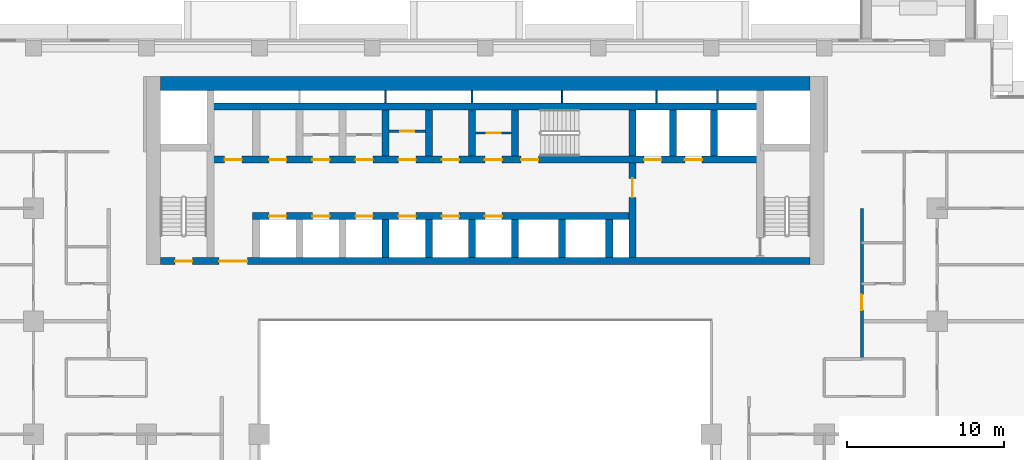
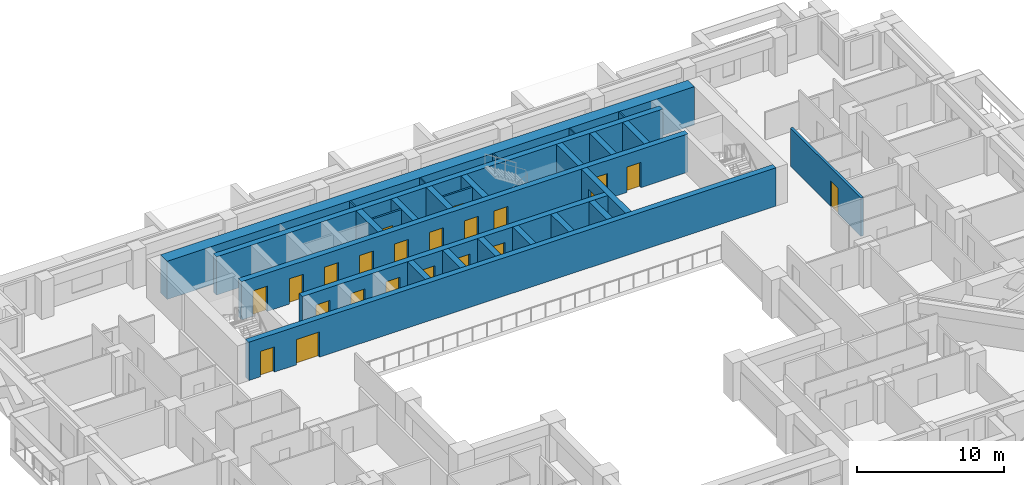
# One storey, part 10 of 17: 27 walls, 22 doors, 22 openings.
"""IFC4 building model written with IfcOpenShell, lengths in metres."""

from ifc_helpers import new_model, si_unit, direction, frame, frame_2d, origin, place, context, subcontext, project, spatial, rectangle, extrude, material, layer, layer_set, type_object, element, fill, save


model = new_model("IFC4")

# Units and contexts
model_context = context("Model", 3, precision=1e-05, world=origin(), true_north=direction((0.0, 1.0)))
body_context = subcontext(model_context, "Body", "Model", "MODEL_VIEW")
ifc_project = project(units=[si_unit("LENGTHUNIT", "METRE"), si_unit("AREAUNIT", "SQUARE_METRE"), si_unit("VOLUMEUNIT", "CUBIC_METRE"), si_unit("PLANEANGLEUNIT", "RADIAN"), si_unit("MASSUNIT", "GRAM", prefix="KILO")], contexts=[model_context])

# Site, building, storey
site_placement = place(None, origin())
site = spatial("IfcSite", under=ifc_project, at=site_placement, CompositionType="ELEMENT")
building_placement = place(site_placement, origin())
building = spatial("IfcBuilding", under=site, at=building_placement, Name="Saffron Iwan Residences", CompositionType="ELEMENT")
storey_placement = place(building_placement, frame((0.0, 0.0, 62.0)))
storey = spatial("IfcBuildingStorey", under=building, at=storey_placement, Name="L15", CompositionType="ELEMENT", Elevation=62.0)

# Wall, opening, door
ifc_material_1 = material(Name="Fire-rated plasterboard partition")
ifc_layer_1 = layer(ifc_material_1, 0.14990234375)
ifc_layer_set_1 = layer_set([ifc_layer_1], Name="Fire-rated plasterboard partition")
wall_type_1 = type_object("IfcWallType", Name="Core partition 150", PredefinedType="PARTITIONING", material=ifc_layer_set_1)
wall_1_placement = place(storey_placement, frame((44.27490234375, 74.51806640625, 0.0), z_axis=(0.0, 0.0, 1.0), x_axis=(1.0, 0.0, 0.0)))
wall_1 = element("IfcWall", 1, at=wall_1_placement, inside=storey, type_object=wall_type_1, Name="Core partition P03", PredefinedType="PARTITIONING", context=body_context, shape_type="SweptSolid", body=[
    extrude(rectangle(XDim=2.300048828125, YDim=0.14990234375, at=frame_2d((1.14990234375, 0.0))), origin(), (0.0, 0.0, 1.0), 3.179931640625),
])
opening_1_placement = place(wall_1_placement, frame((0.699951171875, 0.0, 0.0)))
opening_1 = element("IfcOpeningElement", 2, at=opening_1_placement, cuts=wall_1, Name="Opening SB", PredefinedType="OPENING", context=body_context, shape_type="SweptSolid", body=[
    extrude(rectangle(XDim=0.89990234375, YDim=2.10009765625, at=frame_2d((0.449951171875, 1.050048828125))), frame((0.0, 0.0849609375, 0.0), z_axis=(0.0, -1.0, 0.0), x_axis=(1.0, 0.0, 0.0)), (0.0, 0.0, 1.0), 0.169921875),
])
ifc_material_2 = material(Name="Steel fire door", Category="steel")
door_type_1 = type_object("IfcDoorType", Name="Store door 900", OperationType="NOTDEFINED", PredefinedType="DOOR", material=ifc_material_2)
door_1_placement = place(opening_1_placement, origin())
door_1 = element("IfcDoor", 3, at=door_1_placement, inside=storey, type_object=door_type_1, Name="Door Spares store", OperationType="SINGLE_SWING_LEFT", OverallHeight=2.10009765625, OverallWidth=0.89990234375, PredefinedType="DOOR", context=body_context, shape_type="SweptSolid", body=[
    extrude(rectangle(XDim=0.89990234375, YDim=2.10009765625, at=frame_2d((0.449951171875, 1.050048828125))), frame((0.0, 0.02490234375, 0.0), z_axis=(0.0, -1.0, 0.0), x_axis=(1.0, 0.0, 0.0)), (0.0, 0.0, 1.0), 0.050048828125),
])
fill(opening_1, door_1)

wall_2_placement = place(storey_placement, frame((49.77490234375, 74.39990234375, 0.0), z_axis=(0.0, 0.0, 1.0), x_axis=(1.0, 0.0, 0.0)))
wall_2 = element("IfcWall", 4, at=wall_2_placement, inside=storey, type_object=wall_type_1, Name="Core partition P04", PredefinedType="PARTITIONING", context=body_context, shape_type="SweptSolid", body=[
    extrude(rectangle(XDim=2.300048828125, YDim=0.14990234375, at=frame_2d((1.14990234375, 0.0))), origin(), (0.0, 0.0, 1.0), 3.179931640625),
])
opening_2_placement = place(wall_2_placement, frame((0.699951171875, 0.0, 0.0)))
opening_2 = element("IfcOpeningElement", 5, at=opening_2_placement, cuts=wall_2, Name="Opening SB", PredefinedType="OPENING", context=body_context, shape_type="SweptSolid", body=[
    extrude(rectangle(XDim=0.89990234375, YDim=2.10009765625, at=frame_2d((0.449951171875, 1.050048828125))), frame((0.0, 0.0849609375, 0.0), z_axis=(0.0, -1.0, 0.0), x_axis=(1.0, 0.0, 0.0)), (0.0, 0.0, 1.0), 0.169921875),
])
door_2_placement = place(opening_2_placement, origin())
door_2 = element("IfcDoor", 6, at=door_2_placement, inside=storey, type_object=door_type_1, Name="Door Records store", OperationType="SINGLE_SWING_RIGHT", OverallHeight=2.10009765625, OverallWidth=0.89990234375, PredefinedType="DOOR", context=body_context, shape_type="SweptSolid", body=[
    extrude(rectangle(XDim=0.89990234375, YDim=2.10009765625, at=frame_2d((0.449951171875, 1.050048828125))), frame((0.0, 0.02490234375, 0.0), z_axis=(0.0, -1.0, 0.0), x_axis=(1.0, 0.0, 0.0)), (0.0, 0.0, 1.0), 0.050048828125),
])
fill(opening_2, door_2)

ifc_material_3 = material(Name="Fire-rated gypsum board wall")
ifc_layer_2 = layer(ifc_material_3, 0.199951171875)
ifc_layer_set_2 = layer_set([ifc_layer_2], Name="Fire-rated gypsum board wall")
wall_type_2 = type_object("IfcWallType", Name="Gallery wall 200", PredefinedType="SOLIDWALL", material=ifc_layer_set_2)
wall_3_placement = place(storey_placement, frame((74.39990234375, 60.0, 0.0), z_axis=(0.0, 0.0, 1.0), x_axis=(0.0, 1.0, 0.0)))
wall_3 = element("IfcWall", 7, at=wall_3_placement, inside=storey, type_object=wall_type_2, Name="W-L15-CORR-v74.4-60", PredefinedType="SOLIDWALL", context=body_context, shape_type="SweptSolid", body=[
    extrude(rectangle(XDim=9.60009765625, YDim=0.199951171875, at=frame_2d((4.800048828125, 0.0))), origin(), (0.0, 0.0, 1.0), 3.179931640625),
])
opening_3_placement = place(wall_3_placement, frame((3.10009765625, 0.0, 0.0)))
opening_3 = element("IfcOpeningElement", 8, at=opening_3_placement, cuts=wall_3, Name="Opening FD1", PredefinedType="OPENING", context=body_context, shape_type="SweptSolid", body=[
    extrude(rectangle(XDim=1.0, YDim=2.10009765625, at=frame_2d((0.5, 1.050048828125))), frame((0.0, 0.10986328125, 0.0), z_axis=(0.0, -1.0, 0.0), x_axis=(1.0, 0.0, 0.0)), (0.0, 0.0, 1.0), 0.219970703125),
])
ifc_material_4 = material(Name="Fire-rated timber door", Category="wood")
door_type_2 = type_object("IfcDoorType", Name="FD30S flat entrance door 1000", OperationType="NOTDEFINED", PredefinedType="DOOR", material=ifc_material_4)
door_3_placement = place(opening_3_placement, origin())
door_3 = element("IfcDoor", 9, at=door_3_placement, inside=storey, type_object=door_type_2, Name="Door L15-034", OperationType="SINGLE_SWING_RIGHT", OverallHeight=2.10009765625, OverallWidth=1.0, PredefinedType="DOOR", context=body_context, shape_type="SweptSolid", body=[
    extrude(rectangle(XDim=1.0, YDim=2.10009765625, at=frame_2d((0.5, 1.050048828125))), frame((0.0, 0.02490234375, 0.0), z_axis=(0.0, -1.0, 0.0), x_axis=(1.0, 0.0, 0.0)), (0.0, 0.0, 1.0), 0.050048828125),
])
fill(opening_3, door_3)

# Walls
ifc_layer_3 = layer(ifc_material_1, 0.10009765625)
ifc_layer_set_3 = layer_set([ifc_layer_3], Name="Fire-rated plasterboard partition")
wall_type_3 = type_object("IfcWallType", Name="Riser partition 100", PredefinedType="PARTITIONING", material=ifc_layer_set_3)
for number, where, z_axis, x_axis, name in (
    (10, (44.050048828125, 76.324951171875, 0.0), (0.0, 0.0, 1.0), (0.0, 1.0, 0.0), "Core partition P06"),
    (11, (49.550048828125, 76.324951171875, 0.0), (0.0, 0.0, 1.0), (0.0, 1.0, 0.0), "Core partition P07"),
    (12, (55.300048828125, 76.324951171875, 0.0), (0.0, 0.0, 1.0), (0.0, 1.0, 0.0), "Core partition P08"),
    (13, (61.300048828125, 76.324951171875, 0.0), (0.0, 0.0, 1.0), (0.0, 1.0, 0.0), "Core partition P09"),
    (14, (65.199951171875, 76.324951171875, 0.0), (0.0, 0.0, 1.0), (0.0, 1.0, 0.0), "Core partition P10"),
):
    element("IfcWall", number, at=place(storey_placement, frame(where, z_axis=z_axis, x_axis=x_axis)), inside=storey, type_object=wall_type_3, Name=name, PredefinedType="PARTITIONING", context=body_context, shape_type="SweptSolid", body=[
        extrude(rectangle(XDim=0.775146484375, YDim=0.10009765625, at=frame_2d((0.3876953125, 0.0))), origin(), (0.0, 0.0, 1.0), 3.179931640625),
    ])

# Wall, openings, doors
ifc_material_5 = material(Name="Concrete C60/75", Category="concrete")
ifc_layer_4 = layer(ifc_material_5, 0.449951171875)
ifc_layer_set_4 = layer_set([ifc_layer_4], Name="Concrete C60/75")
wall_type_4 = type_object("IfcWallType", Name="WALL CORE 450 C60/75 3180 HIGH", PredefinedType="SHEAR", material=ifc_layer_set_4)
wall_4_placement = place(storey_placement, frame((29.699951171875, 66.22509765625, 0.0), z_axis=(0.0, 0.0, 1.0), x_axis=(1.0, 0.0, 0.0)))
wall_4 = element("IfcWall", 15, at=wall_4_placement, inside=storey, type_object=wall_type_4, Name="Core wall", PredefinedType="SHEAR", context=body_context, shape_type="SweptSolid", body=[
    extrude(rectangle(XDim=41.400146484375, YDim=0.449951171875, at=frame_2d((20.7001953125, 0.0))), origin(), (0.0, 0.0, 1.0), 3.179931640625),
])
opening_4_placement = place(wall_4_placement, frame((0.925048828125, 0.0, 0.0)))
opening_4 = element("IfcOpeningElement", 16, at=opening_4_placement, cuts=wall_4, Name="Opening SD", PredefinedType="OPENING", context=body_context, shape_type="SweptSolid", body=[
    extrude(rectangle(XDim=1.10009765625, YDim=2.10009765625, at=frame_2d((0.550048828125, 1.050048828125))), frame((0.0, 0.23486328125, 0.0), z_axis=(0.0, -1.0, 0.0), x_axis=(1.0, 0.0, 0.0)), (0.0, 0.0, 1.0), 0.469970703125),
])
opening_5_placement = place(wall_4_placement, frame((3.737548828125, 0.0, 0.0)))
opening_5 = element("IfcOpeningElement", 17, at=opening_5_placement, cuts=wall_4, Name="Opening DD", PredefinedType="OPENING", context=body_context, shape_type="SweptSolid", body=[
    extrude(rectangle(XDim=1.800048828125, YDim=2.10009765625, at=frame_2d((0.89990234375, 1.050048828125))), frame((0.0, 0.23486328125, 0.0), z_axis=(0.0, -1.0, 0.0), x_axis=(1.0, 0.0, 0.0)), (0.0, 0.0, 1.0), 0.469970703125),
])
door_type_3 = type_object("IfcDoorType", Name="Lobby double door 1800", OperationType="DOUBLE_DOOR_SINGLE_SWING", PredefinedType="DOOR", material=ifc_material_2)
door_4_placement = place(opening_5_placement, origin())
door_4 = element("IfcDoor", 18, at=door_4_placement, inside=storey, type_object=door_type_3, Name="Lobby doors", OperationType="DOUBLE_DOOR_SINGLE_SWING", OverallHeight=2.10009765625, OverallWidth=1.800048828125, PredefinedType="DOOR", context=body_context, shape_type="SweptSolid", body=[
    extrude(rectangle(XDim=1.800048828125, YDim=2.10009765625, at=frame_2d((0.89990234375, 1.050048828125))), frame((0.0, 0.02490234375, 0.0), z_axis=(0.0, -1.0, 0.0), x_axis=(1.0, 0.0, 0.0)), (0.0, 0.0, 1.0), 0.050048828125),
])
fill(opening_5, door_4)
door_type_4 = type_object("IfcDoorType", Name="Stair door 1100", OperationType="NOTDEFINED", PredefinedType="DOOR", material=ifc_material_2)
door_5_placement = place(opening_4_placement, origin())
door_5 = element("IfcDoor", 19, at=door_5_placement, inside=storey, type_object=door_type_4, Name="Stair door ST-W", OperationType="SINGLE_SWING_LEFT", OverallHeight=2.10009765625, OverallWidth=1.10009765625, PredefinedType="DOOR", context=body_context, shape_type="SweptSolid", body=[
    extrude(rectangle(XDim=1.10009765625, YDim=2.10009765625, at=frame_2d((0.550048828125, 1.050048828125))), frame((0.0, 0.02490234375, 0.0), z_axis=(0.0, -1.0, 0.0), x_axis=(1.0, 0.0, 0.0)), (0.0, 0.0, 1.0), 0.050048828125),
])
fill(opening_4, door_5)

wall_5_placement = place(storey_placement, frame((35.574951171875, 69.10009765625, 0.0), z_axis=(0.0, 0.0, 1.0), x_axis=(1.0, 0.0, 0.0)))
wall_5 = element("IfcWall", 20, at=wall_5_placement, inside=storey, type_object=wall_type_4, Name="Core wall", PredefinedType="SHEAR", context=body_context, shape_type="SweptSolid", body=[
    extrude(rectangle(XDim=24.199951171875, YDim=0.449951171875, at=frame_2d((12.10009765625, 0.0))), origin(), (0.0, 0.0, 1.0), 3.179931640625),
])
opening_6_placement = place(wall_5_placement, frame((1.050048828125, 0.0, 0.0)))
opening_6 = element("IfcOpeningElement", 21, at=opening_6_placement, cuts=wall_5, Name="Opening LD", PredefinedType="OPENING", context=body_context, shape_type="SweptSolid", body=[
    extrude(rectangle(XDim=1.10009765625, YDim=2.10009765625, at=frame_2d((0.550048828125, 1.050048828125))), frame((0.0, 0.23486328125, 0.0), z_axis=(0.0, -1.0, 0.0), x_axis=(1.0, 0.0, 0.0)), (0.0, 0.0, 1.0), 0.469970703125),
])
opening_7_placement = place(wall_5_placement, frame((3.800048828125, 0.0, 0.0)))
opening_7 = element("IfcOpeningElement", 22, at=opening_7_placement, cuts=wall_5, Name="Opening LD", PredefinedType="OPENING", context=body_context, shape_type="SweptSolid", body=[
    extrude(rectangle(XDim=1.10009765625, YDim=2.10009765625, at=frame_2d((0.550048828125, 1.050048828125))), frame((0.0, 0.23486328125, 0.0), z_axis=(0.0, -1.0, 0.0), x_axis=(1.0, 0.0, 0.0)), (0.0, 0.0, 1.0), 0.469970703125),
])
opening_8_placement = place(wall_5_placement, frame((6.550048828125, 0.0, 0.0)))
opening_8 = element("IfcOpeningElement", 23, at=opening_8_placement, cuts=wall_5, Name="Opening LD", PredefinedType="OPENING", context=body_context, shape_type="SweptSolid", body=[
    extrude(rectangle(XDim=1.10009765625, YDim=2.10009765625, at=frame_2d((0.550048828125, 1.050048828125))), frame((0.0, 0.23486328125, 0.0), z_axis=(0.0, -1.0, 0.0), x_axis=(1.0, 0.0, 0.0)), (0.0, 0.0, 1.0), 0.469970703125),
])
opening_9_placement = place(wall_5_placement, frame((9.300048828125, 0.0, 0.0)))
opening_9 = element("IfcOpeningElement", 24, at=opening_9_placement, cuts=wall_5, Name="Opening LD", PredefinedType="OPENING", context=body_context, shape_type="SweptSolid", body=[
    extrude(rectangle(XDim=1.10009765625, YDim=2.10009765625, at=frame_2d((0.550048828125, 1.050048828125))), frame((0.0, 0.23486328125, 0.0), z_axis=(0.0, -1.0, 0.0), x_axis=(1.0, 0.0, 0.0)), (0.0, 0.0, 1.0), 0.469970703125),
])
opening_10_placement = place(wall_5_placement, frame((12.050048828125, 0.0, 0.0)))
opening_10 = element("IfcOpeningElement", 25, at=opening_10_placement, cuts=wall_5, Name="Opening LD", PredefinedType="OPENING", context=body_context, shape_type="SweptSolid", body=[
    extrude(rectangle(XDim=1.10009765625, YDim=2.10009765625, at=frame_2d((0.550048828125, 1.050048828125))), frame((0.0, 0.23486328125, 0.0), z_axis=(0.0, -1.0, 0.0), x_axis=(1.0, 0.0, 0.0)), (0.0, 0.0, 1.0), 0.469970703125),
])
opening_11_placement = place(wall_5_placement, frame((14.800048828125, 0.0, 0.0)))
opening_11 = element("IfcOpeningElement", 26, at=opening_11_placement, cuts=wall_5, Name="Opening LD", PredefinedType="OPENING", context=body_context, shape_type="SweptSolid", body=[
    extrude(rectangle(XDim=1.10009765625, YDim=2.10009765625, at=frame_2d((0.550048828125, 1.050048828125))), frame((0.0, 0.23486328125, 0.0), z_axis=(0.0, -1.0, 0.0), x_axis=(1.0, 0.0, 0.0)), (0.0, 0.0, 1.0), 0.469970703125),
])
door_type_5 = type_object("IfcDoorType", Name="Lift landing door 1100", OperationType="SLIDING_TO_LEFT", PredefinedType="DOOR", material=ifc_material_2)
door_6_placement = place(opening_6_placement, origin())
door_6 = element("IfcDoor", 27, at=door_6_placement, inside=storey, type_object=door_type_5, Name="Landing doors LR1", OperationType="SLIDING_TO_LEFT", OverallHeight=2.10009765625, OverallWidth=1.10009765625, PredefinedType="DOOR", context=body_context, shape_type="SweptSolid", body=[
    extrude(rectangle(XDim=1.10009765625, YDim=2.10009765625, at=frame_2d((0.550048828125, 1.050048828125))), frame((0.0, 0.02490234375, 0.0), z_axis=(0.0, -1.0, 0.0), x_axis=(1.0, 0.0, 0.0)), (0.0, 0.0, 1.0), 0.050048828125),
])
fill(opening_6, door_6)
door_7_placement = place(opening_7_placement, origin())
door_7 = element("IfcDoor", 28, at=door_7_placement, inside=storey, type_object=door_type_5, Name="Landing doors LR2", OperationType="SLIDING_TO_LEFT", OverallHeight=2.10009765625, OverallWidth=1.10009765625, PredefinedType="DOOR", context=body_context, shape_type="SweptSolid", body=[
    extrude(rectangle(XDim=1.10009765625, YDim=2.10009765625, at=frame_2d((0.550048828125, 1.050048828125))), frame((0.0, 0.02490234375, 0.0), z_axis=(0.0, -1.0, 0.0), x_axis=(1.0, 0.0, 0.0)), (0.0, 0.0, 1.0), 0.050048828125),
])
fill(opening_7, door_7)
door_8_placement = place(opening_8_placement, origin())
door_8 = element("IfcDoor", 29, at=door_8_placement, inside=storey, type_object=door_type_5, Name="Landing doors LR3", OperationType="SLIDING_TO_LEFT", OverallHeight=2.10009765625, OverallWidth=1.10009765625, PredefinedType="DOOR", context=body_context, shape_type="SweptSolid", body=[
    extrude(rectangle(XDim=1.10009765625, YDim=2.10009765625, at=frame_2d((0.550048828125, 1.050048828125))), frame((0.0, 0.02490234375, 0.0), z_axis=(0.0, -1.0, 0.0), x_axis=(1.0, 0.0, 0.0)), (0.0, 0.0, 1.0), 0.050048828125),
])
fill(opening_8, door_8)
door_9_placement = place(opening_9_placement, origin())
door_9 = element("IfcDoor", 30, at=door_9_placement, inside=storey, type_object=door_type_5, Name="Landing doors LR4", OperationType="SLIDING_TO_LEFT", OverallHeight=2.10009765625, OverallWidth=1.10009765625, PredefinedType="DOOR", context=body_context, shape_type="SweptSolid", body=[
    extrude(rectangle(XDim=1.10009765625, YDim=2.10009765625, at=frame_2d((0.550048828125, 1.050048828125))), frame((0.0, 0.02490234375, 0.0), z_axis=(0.0, -1.0, 0.0), x_axis=(1.0, 0.0, 0.0)), (0.0, 0.0, 1.0), 0.050048828125),
])
fill(opening_9, door_9)
door_10_placement = place(opening_10_placement, origin())
door_10 = element("IfcDoor", 31, at=door_10_placement, inside=storey, type_object=door_type_5, Name="Landing doors LR5", OperationType="SLIDING_TO_LEFT", OverallHeight=2.10009765625, OverallWidth=1.10009765625, PredefinedType="DOOR", context=body_context, shape_type="SweptSolid", body=[
    extrude(rectangle(XDim=1.10009765625, YDim=2.10009765625, at=frame_2d((0.550048828125, 1.050048828125))), frame((0.0, 0.02490234375, 0.0), z_axis=(0.0, -1.0, 0.0), x_axis=(1.0, 0.0, 0.0)), (0.0, 0.0, 1.0), 0.050048828125),
])
fill(opening_10, door_10)
door_11_placement = place(opening_11_placement, origin())
door_11 = element("IfcDoor", 32, at=door_11_placement, inside=storey, type_object=door_type_5, Name="Landing doors LR6", OperationType="SLIDING_TO_LEFT", OverallHeight=2.10009765625, OverallWidth=1.10009765625, PredefinedType="DOOR", context=body_context, shape_type="SweptSolid", body=[
    extrude(rectangle(XDim=1.10009765625, YDim=2.10009765625, at=frame_2d((0.550048828125, 1.050048828125))), frame((0.0, 0.02490234375, 0.0), z_axis=(0.0, -1.0, 0.0), x_axis=(1.0, 0.0, 0.0)), (0.0, 0.0, 1.0), 0.050048828125),
])
fill(opening_11, door_11)

wall_6_placement = place(storey_placement, frame((32.875, 72.699951171875, 0.0), z_axis=(0.0, 0.0, 1.0), x_axis=(1.0, 0.0, 0.0)))
wall_6 = element("IfcWall", 33, at=wall_6_placement, inside=storey, type_object=wall_type_4, Name="Core wall", PredefinedType="SHEAR", context=body_context, shape_type="SweptSolid", body=[
    extrude(rectangle(XDim=35.050048828125, YDim=0.449951171875, at=frame_2d((17.52490234375, 0.0))), origin(), (0.0, 0.0, 1.0), 3.179931640625),
])
opening_12_placement = place(wall_6_placement, frame((19.800048828125, 0.0, 0.0)))
opening_12 = element("IfcOpeningElement", 34, at=opening_12_placement, cuts=wall_6, Name="Opening SD", PredefinedType="OPENING", context=body_context, shape_type="SweptSolid", body=[
    extrude(rectangle(XDim=1.10009765625, YDim=2.10009765625, at=frame_2d((0.550048828125, 1.050048828125))), frame((0.0, 0.23486328125, 0.0), z_axis=(0.0, -1.0, 0.0), x_axis=(1.0, 0.0, 0.0)), (0.0, 0.0, 1.0), 0.469970703125),
])
opening_13_placement = place(wall_6_placement, frame((27.64990234375, 0.0, 0.0)))
opening_13 = element("IfcOpeningElement", 35, at=opening_13_placement, cuts=wall_6, Name="Opening LD", PredefinedType="OPENING", context=body_context, shape_type="SweptSolid", body=[
    extrude(rectangle(XDim=1.10009765625, YDim=2.10009765625, at=frame_2d((0.550048828125, 1.050048828125))), frame((0.0, 0.23486328125, 0.0), z_axis=(0.0, -1.0, 0.0), x_axis=(1.0, 0.0, 0.0)), (0.0, 0.0, 1.0), 0.469970703125),
])
opening_14_placement = place(wall_6_placement, frame((30.25, 0.0, 0.0)))
opening_14 = element("IfcOpeningElement", 36, at=opening_14_placement, cuts=wall_6, Name="Opening LD", PredefinedType="OPENING", context=body_context, shape_type="SweptSolid", body=[
    extrude(rectangle(XDim=1.10009765625, YDim=2.10009765625, at=frame_2d((0.550048828125, 1.050048828125))), frame((0.0, 0.23486328125, 0.0), z_axis=(0.0, -1.0, 0.0), x_axis=(1.0, 0.0, 0.0)), (0.0, 0.0, 1.0), 0.469970703125),
])
opening_15_placement = place(wall_6_placement, frame((3.75, 0.0, 0.0)))
opening_15 = element("IfcOpeningElement", 37, at=opening_15_placement, cuts=wall_6, Name="Opening SR", PredefinedType="OPENING", context=body_context, shape_type="SweptSolid", body=[
    extrude(rectangle(XDim=1.10009765625, YDim=2.10009765625, at=frame_2d((0.550048828125, 1.050048828125))), frame((0.0, 0.23486328125, 0.0), z_axis=(0.0, -1.0, 0.0), x_axis=(1.0, 0.0, 0.0)), (0.0, 0.0, 1.0), 0.469970703125),
])
opening_16_placement = place(wall_6_placement, frame((6.5, 0.0, 0.0)))
opening_16 = element("IfcOpeningElement", 38, at=opening_16_placement, cuts=wall_6, Name="Opening SR", PredefinedType="OPENING", context=body_context, shape_type="SweptSolid", body=[
    extrude(rectangle(XDim=1.10009765625, YDim=2.10009765625, at=frame_2d((0.550048828125, 1.050048828125))), frame((0.0, 0.23486328125, 0.0), z_axis=(0.0, -1.0, 0.0), x_axis=(1.0, 0.0, 0.0)), (0.0, 0.0, 1.0), 0.469970703125),
])
opening_17_placement = place(wall_6_placement, frame((9.25, 0.0, 0.0)))
opening_17 = element("IfcOpeningElement", 39, at=opening_17_placement, cuts=wall_6, Name="Opening SR", PredefinedType="OPENING", context=body_context, shape_type="SweptSolid", body=[
    extrude(rectangle(XDim=1.10009765625, YDim=2.10009765625, at=frame_2d((0.550048828125, 1.050048828125))), frame((0.0, 0.23486328125, 0.0), z_axis=(0.0, -1.0, 0.0), x_axis=(1.0, 0.0, 0.0)), (0.0, 0.0, 1.0), 0.469970703125),
])
opening_18_placement = place(wall_6_placement, frame((12.0, 0.0, 0.0)))
opening_18 = element("IfcOpeningElement", 40, at=opening_18_placement, cuts=wall_6, Name="Opening SR", PredefinedType="OPENING", context=body_context, shape_type="SweptSolid", body=[
    extrude(rectangle(XDim=1.10009765625, YDim=2.10009765625, at=frame_2d((0.550048828125, 1.050048828125))), frame((0.0, 0.23486328125, 0.0), z_axis=(0.0, -1.0, 0.0), x_axis=(1.0, 0.0, 0.0)), (0.0, 0.0, 1.0), 0.469970703125),
])
opening_19_placement = place(wall_6_placement, frame((14.75, 0.0, 0.0)))
opening_19 = element("IfcOpeningElement", 41, at=opening_19_placement, cuts=wall_6, Name="Opening SR", PredefinedType="OPENING", context=body_context, shape_type="SweptSolid", body=[
    extrude(rectangle(XDim=1.10009765625, YDim=2.10009765625, at=frame_2d((0.550048828125, 1.050048828125))), frame((0.0, 0.23486328125, 0.0), z_axis=(0.0, -1.0, 0.0), x_axis=(1.0, 0.0, 0.0)), (0.0, 0.0, 1.0), 0.469970703125),
])
opening_20_placement = place(wall_6_placement, frame((17.5, 0.0, 0.0)))
opening_20 = element("IfcOpeningElement", 42, at=opening_20_placement, cuts=wall_6, Name="Opening SR", PredefinedType="OPENING", context=body_context, shape_type="SweptSolid", body=[
    extrude(rectangle(XDim=1.10009765625, YDim=2.10009765625, at=frame_2d((0.550048828125, 1.050048828125))), frame((0.0, 0.23486328125, 0.0), z_axis=(0.0, -1.0, 0.0), x_axis=(1.0, 0.0, 0.0)), (0.0, 0.0, 1.0), 0.469970703125),
])
opening_21_placement = place(wall_6_placement, frame((0.91259765625, 0.0, 0.0)))
opening_21 = element("IfcOpeningElement", 43, at=opening_21_placement, cuts=wall_6, Name="Opening SR", PredefinedType="OPENING", context=body_context, shape_type="SweptSolid", body=[
    extrude(rectangle(XDim=1.10009765625, YDim=2.10009765625, at=frame_2d((0.550048828125, 1.050048828125))), frame((0.0, 0.23486328125, 0.0), z_axis=(0.0, -1.0, 0.0), x_axis=(1.0, 0.0, 0.0)), (0.0, 0.0, 1.0), 0.469970703125),
])
door_12_placement = place(opening_13_placement, origin())
door_12 = element("IfcDoor", 44, at=door_12_placement, inside=storey, type_object=door_type_5, Name="Landing doors FF1", OperationType="SLIDING_TO_LEFT", OverallHeight=2.10009765625, OverallWidth=1.10009765625, PredefinedType="DOOR", context=body_context, shape_type="SweptSolid", body=[
    extrude(rectangle(XDim=1.10009765625, YDim=2.10009765625, at=frame_2d((0.550048828125, 1.050048828125))), frame((0.0, 0.02490234375, 0.0), z_axis=(0.0, -1.0, 0.0), x_axis=(1.0, 0.0, 0.0)), (0.0, 0.0, 1.0), 0.050048828125),
])
fill(opening_13, door_12)
door_13_placement = place(opening_14_placement, origin())
door_13 = element("IfcDoor", 45, at=door_13_placement, inside=storey, type_object=door_type_5, Name="Landing doors FF2", OperationType="SLIDING_TO_LEFT", OverallHeight=2.10009765625, OverallWidth=1.10009765625, PredefinedType="DOOR", context=body_context, shape_type="SweptSolid", body=[
    extrude(rectangle(XDim=1.10009765625, YDim=2.10009765625, at=frame_2d((0.550048828125, 1.050048828125))), frame((0.0, 0.02490234375, 0.0), z_axis=(0.0, -1.0, 0.0), x_axis=(1.0, 0.0, 0.0)), (0.0, 0.0, 1.0), 0.050048828125),
])
fill(opening_14, door_13)
door_type_6 = type_object("IfcDoorType", Name="Service door 1100", OperationType="NOTDEFINED", PredefinedType="DOOR", material=ifc_material_2)
door_14_placement = place(opening_15_placement, origin())
door_14 = element("IfcDoor", 46, at=door_14_placement, inside=storey, type_object=door_type_6, Name="Door Furniture store", OperationType="SINGLE_SWING_LEFT", OverallHeight=2.10009765625, OverallWidth=1.10009765625, PredefinedType="DOOR", context=body_context, shape_type="SweptSolid", body=[
    extrude(rectangle(XDim=1.10009765625, YDim=2.10009765625, at=frame_2d((0.550048828125, 1.050048828125))), frame((0.0, 0.02490234375, 0.0), z_axis=(0.0, -1.0, 0.0), x_axis=(1.0, 0.0, 0.0)), (0.0, 0.0, 1.0), 0.050048828125),
])
fill(opening_15, door_14)
door_15_placement = place(opening_16_placement, origin())
door_15 = element("IfcDoor", 47, at=door_15_placement, inside=storey, type_object=door_type_6, Name="Door Housekeeping store", OperationType="SINGLE_SWING_LEFT", OverallHeight=2.10009765625, OverallWidth=1.10009765625, PredefinedType="DOOR", context=body_context, shape_type="SweptSolid", body=[
    extrude(rectangle(XDim=1.10009765625, YDim=2.10009765625, at=frame_2d((0.550048828125, 1.050048828125))), frame((0.0, 0.02490234375, 0.0), z_axis=(0.0, -1.0, 0.0), x_axis=(1.0, 0.0, 0.0)), (0.0, 0.0, 1.0), 0.050048828125),
])
fill(opening_16, door_15)
door_16_placement = place(opening_17_placement, origin())
door_16 = element("IfcDoor", 48, at=door_16_placement, inside=storey, type_object=door_type_6, Name="Door Cleaner's store", OperationType="SINGLE_SWING_LEFT", OverallHeight=2.10009765625, OverallWidth=1.10009765625, PredefinedType="DOOR", context=body_context, shape_type="SweptSolid", body=[
    extrude(rectangle(XDim=1.10009765625, YDim=2.10009765625, at=frame_2d((0.550048828125, 1.050048828125))), frame((0.0, 0.02490234375, 0.0), z_axis=(0.0, -1.0, 0.0), x_axis=(1.0, 0.0, 0.0)), (0.0, 0.0, 1.0), 0.050048828125),
])
fill(opening_17, door_16)
door_17_placement = place(opening_18_placement, origin())
door_17 = element("IfcDoor", 49, at=door_17_placement, inside=storey, type_object=door_type_6, Name="Door Trolley store", OperationType="SINGLE_SWING_LEFT", OverallHeight=2.10009765625, OverallWidth=1.10009765625, PredefinedType="DOOR", context=body_context, shape_type="SweptSolid", body=[
    extrude(rectangle(XDim=1.10009765625, YDim=2.10009765625, at=frame_2d((0.550048828125, 1.050048828125))), frame((0.0, 0.02490234375, 0.0), z_axis=(0.0, -1.0, 0.0), x_axis=(1.0, 0.0, 0.0)), (0.0, 0.0, 1.0), 0.050048828125),
])
fill(opening_18, door_17)
door_18_placement = place(opening_19_placement, origin())
door_18 = element("IfcDoor", 50, at=door_18_placement, inside=storey, type_object=door_type_6, Name="Door Communications room", OperationType="SINGLE_SWING_LEFT", OverallHeight=2.10009765625, OverallWidth=1.10009765625, PredefinedType="DOOR", context=body_context, shape_type="SweptSolid", body=[
    extrude(rectangle(XDim=1.10009765625, YDim=2.10009765625, at=frame_2d((0.550048828125, 1.050048828125))), frame((0.0, 0.02490234375, 0.0), z_axis=(0.0, -1.0, 0.0), x_axis=(1.0, 0.0, 0.0)), (0.0, 0.0, 1.0), 0.050048828125),
])
fill(opening_19, door_18)
door_19_placement = place(opening_20_placement, origin())
door_19 = element("IfcDoor", 51, at=door_19_placement, inside=storey, type_object=door_type_6, Name="Door Switch room", OperationType="SINGLE_SWING_LEFT", OverallHeight=2.10009765625, OverallWidth=1.10009765625, PredefinedType="DOOR", context=body_context, shape_type="SweptSolid", body=[
    extrude(rectangle(XDim=1.10009765625, YDim=2.10009765625, at=frame_2d((0.550048828125, 1.050048828125))), frame((0.0, 0.02490234375, 0.0), z_axis=(0.0, -1.0, 0.0), x_axis=(1.0, 0.0, 0.0)), (0.0, 0.0, 1.0), 0.050048828125),
])
fill(opening_20, door_19)
door_20_placement = place(opening_21_placement, origin())
door_20 = element("IfcDoor", 52, at=door_20_placement, inside=storey, type_object=door_type_6, Name="Door Caretaker's room", OperationType="SINGLE_SWING_LEFT", OverallHeight=2.10009765625, OverallWidth=1.10009765625, PredefinedType="DOOR", context=body_context, shape_type="SweptSolid", body=[
    extrude(rectangle(XDim=1.10009765625, YDim=2.10009765625, at=frame_2d((0.550048828125, 1.050048828125))), frame((0.0, 0.02490234375, 0.0), z_axis=(0.0, -1.0, 0.0), x_axis=(1.0, 0.0, 0.0)), (0.0, 0.0, 1.0), 0.050048828125),
])
fill(opening_21, door_20)
door_21_placement = place(opening_12_placement, origin())
door_21 = element("IfcDoor", 53, at=door_21_placement, inside=storey, type_object=door_type_4, Name="Stair door ST-C", OperationType="SINGLE_SWING_LEFT", OverallHeight=2.10009765625, OverallWidth=1.10009765625, PredefinedType="DOOR", context=body_context, shape_type="SweptSolid", body=[
    extrude(rectangle(XDim=1.10009765625, YDim=2.10009765625, at=frame_2d((0.550048828125, 1.050048828125))), frame((0.0, 0.02490234375, 0.0), z_axis=(0.0, -1.0, 0.0), x_axis=(1.0, 0.0, 0.0)), (0.0, 0.0, 1.0), 0.050048828125),
])
fill(opening_12, door_21)

# Wall
wall_7_placement = place(storey_placement, frame((32.875, 76.10009765625, 0.0), z_axis=(0.0, 0.0, 1.0), x_axis=(1.0, 0.0, 0.0)))
element("IfcWall", 54, at=wall_7_placement, inside=storey, type_object=wall_type_4, Name="Core wall", PredefinedType="SHEAR", context=body_context, shape_type="SweptSolid", body=[
    extrude(rectangle(XDim=35.050048828125, YDim=0.449951171875, at=frame_2d((17.52490234375, 0.0))), origin(), (0.0, 0.0, 1.0), 3.179931640625),
])

# Wall, opening, door
wall_8_placement = place(storey_placement, frame((59.77490234375, 66.449951171875, 0.0), z_axis=(0.0, 0.0, 1.0), x_axis=(0.0, 1.0, 0.0)))
wall_8 = element("IfcWall", 55, at=wall_8_placement, inside=storey, type_object=wall_type_4, Name="Core wall", PredefinedType="SHEAR", context=body_context, shape_type="SweptSolid", body=[
    extrude(rectangle(XDim=6.025146484375, YDim=0.449951171875, at=frame_2d((3.0126953125, 0.0))), origin(), (0.0, 0.0, 1.0), 3.179931640625),
])
opening_22_placement = place(wall_8_placement, frame((3.85009765625, 0.0, 0.0)))
opening_22 = element("IfcOpeningElement", 56, at=opening_22_placement, cuts=wall_8, Name="Opening FD", PredefinedType="OPENING", context=body_context, shape_type="SweptSolid", body=[
    extrude(rectangle(XDim=1.199951171875, YDim=2.10009765625, at=frame_2d((0.60009765625, 1.050048828125))), frame((0.0, 0.23486328125, 0.0), z_axis=(0.0, -1.0, 0.0), x_axis=(1.0, 0.0, 0.0)), (0.0, 0.0, 1.0), 0.469970703125),
])
door_type_7 = type_object("IfcDoorType", Name="Firefighting lobby door 1200", OperationType="NOTDEFINED", PredefinedType="DOOR", material=ifc_material_2)
door_22_placement = place(opening_22_placement, origin())
door_22 = element("IfcDoor", 57, at=door_22_placement, inside=storey, type_object=door_type_7, Name="Firefighting lobby door", OperationType="SINGLE_SWING_RIGHT", OverallHeight=2.10009765625, OverallWidth=1.199951171875, PredefinedType="DOOR", context=body_context, shape_type="SweptSolid", body=[
    extrude(rectangle(XDim=1.199951171875, YDim=2.10009765625, at=frame_2d((0.60009765625, 1.050048828125))), frame((0.0, 0.02490234375, 0.0), z_axis=(0.0, -1.0, 0.0), x_axis=(1.0, 0.0, 0.0)), (0.0, 0.0, 1.0), 0.050048828125),
])
fill(opening_22, door_22)

# Walls
wall_9_placement = place(storey_placement, frame((59.77490234375, 72.925048828125, 0.0), z_axis=(0.0, 0.0, 1.0), x_axis=(0.0, 1.0, 0.0)))
element("IfcWall", 58, at=wall_9_placement, inside=storey, type_object=wall_type_4, Name="Core wall", PredefinedType="SHEAR", context=body_context, shape_type="SweptSolid", body=[
    extrude(rectangle(XDim=2.949951171875, YDim=0.449951171875, at=frame_2d((1.47509765625, 0.0))), origin(), (0.0, 0.0, 1.0), 3.179931640625),
])
for number, where, z_axis, x_axis, name in (
    (59, (44.050048828125, 66.449951171875, 0.0), (0.0, 0.0, 1.0), (0.0, 1.0, 0.0), "Core wall"),
    (60, (46.800048828125, 66.449951171875, 0.0), (0.0, 0.0, 1.0), (0.0, 1.0, 0.0), "Core wall"),
    (61, (49.550048828125, 66.449951171875, 0.0), (0.0, 0.0, 1.0), (0.0, 1.0, 0.0), "Core wall"),
    (62, (52.300048828125, 66.449951171875, 0.0), (0.0, 0.0, 1.0), (0.0, 1.0, 0.0), "Core wall"),
    (63, (55.300048828125, 66.449951171875, 0.0), (0.0, 0.0, 1.0), (0.0, 1.0, 0.0), "Core wall"),
    (64, (58.300048828125, 66.449951171875, 0.0), (0.0, 0.0, 1.0), (0.0, 1.0, 0.0), "Core wall"),
):
    element("IfcWall", number, at=place(storey_placement, frame(where, z_axis=z_axis, x_axis=x_axis)), inside=storey, type_object=wall_type_4, Name=name, PredefinedType="SHEAR", context=body_context, shape_type="SweptSolid", body=[
        extrude(rectangle(XDim=2.425048828125, YDim=0.449951171875, at=frame_2d((1.21240234375, 0.0))), origin(), (0.0, 0.0, 1.0), 3.179931640625),
    ])
for number, where, z_axis, x_axis, name in (
    (65, (44.050048828125, 72.925048828125, 0.0), (0.0, 0.0, 1.0), (0.0, 1.0, 0.0), "Core wall"),
    (66, (46.800048828125, 72.925048828125, 0.0), (0.0, 0.0, 1.0), (0.0, 1.0, 0.0), "Core wall"),
    (67, (49.550048828125, 72.925048828125, 0.0), (0.0, 0.0, 1.0), (0.0, 1.0, 0.0), "Core wall"),
    (68, (52.300048828125, 72.925048828125, 0.0), (0.0, 0.0, 1.0), (0.0, 1.0, 0.0), "Core wall"),
    (69, (62.375, 72.925048828125, 0.0), (0.0, 0.0, 1.0), (0.0, 1.0, 0.0), "Core wall"),
    (70, (64.97509765625, 72.925048828125, 0.0), (0.0, 0.0, 1.0), (0.0, 1.0, 0.0), "Core wall"),
):
    element("IfcWall", number, at=place(storey_placement, frame(where, z_axis=z_axis, x_axis=x_axis)), inside=storey, type_object=wall_type_4, Name=name, PredefinedType="SHEAR", context=body_context, shape_type="SweptSolid", body=[
        extrude(rectangle(XDim=2.949951171875, YDim=0.449951171875, at=frame_2d((1.47509765625, 0.0))), origin(), (0.0, 0.0, 1.0), 3.179931640625),
    ])
ifc_layer_5 = layer(ifc_material_5, 0.89990234375)
ifc_layer_set_5 = layer_set([ifc_layer_5], Name="Concrete C60/75")
wall_type_5 = type_object("IfcWallType", Name="WALL CORE 900 C60/75 3180 HIGH", PredefinedType="SHEAR", material=ifc_layer_set_5)
wall_10_placement = place(storey_placement, frame((29.699951171875, 77.550048828125, 0.0), z_axis=(0.0, 0.0, 1.0), x_axis=(1.0, 0.0, 0.0)))
element("IfcWall", 71, at=wall_10_placement, inside=storey, type_object=wall_type_5, Name="Core wall", PredefinedType="SHEAR", context=body_context, shape_type="SweptSolid", body=[
    extrude(rectangle(XDim=41.400146484375, YDim=0.89990234375, at=frame_2d((20.7001953125, 0.0))), origin(), (0.0, 0.0, 1.0), 3.179931640625),
])

save(model, "model.ifc")
